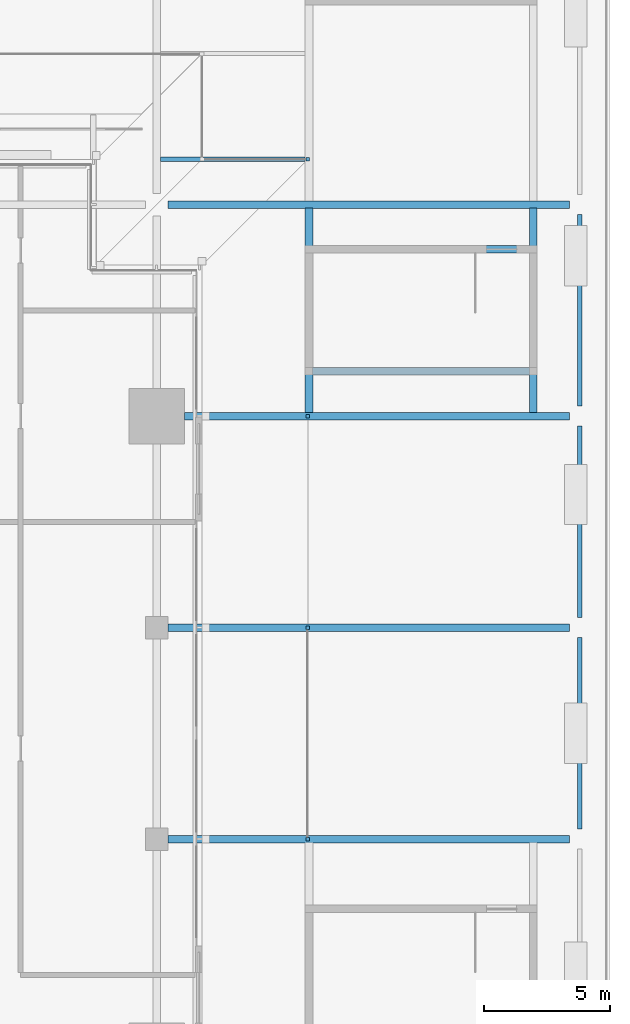
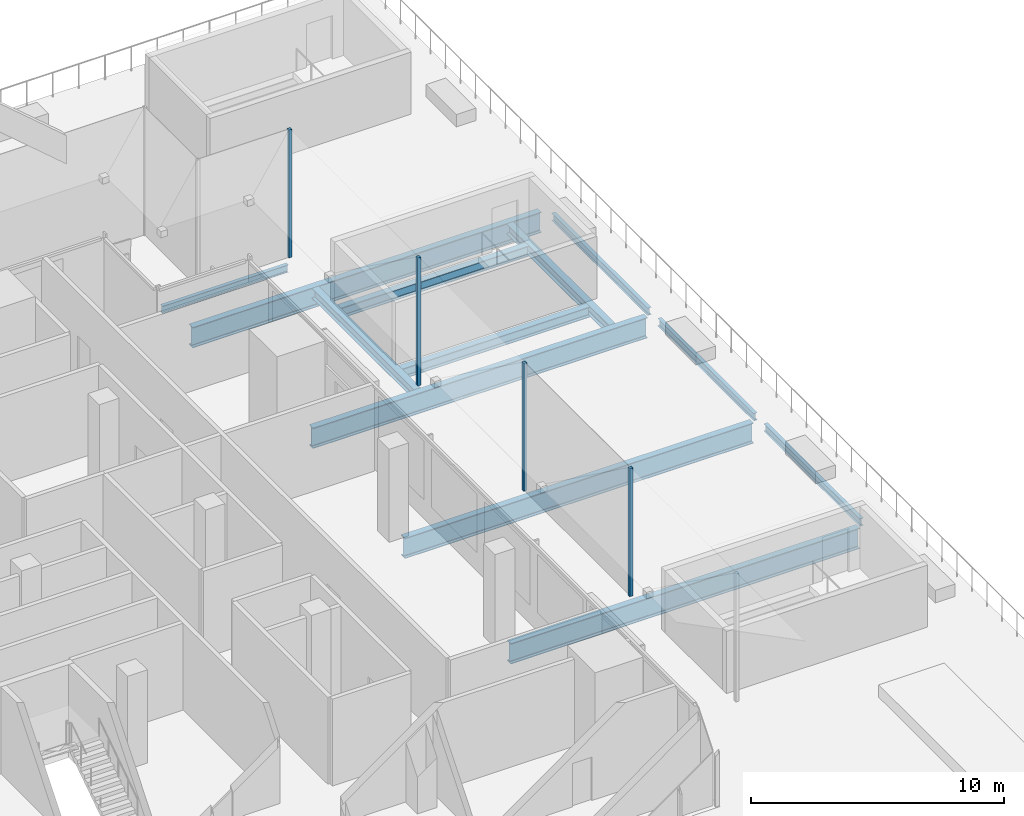
# One storey, part 13 of 60: 12 beams, 4 members.
"""IFC4 building model written with IfcOpenShell, lengths in metres."""

from ifc_helpers import new_model, si_unit, direction, frame, origin, origin_2d, place, context, subcontext, project, spatial, rectangle, i_section, extrude, material, material_profile, profile_set, type_object, element, save


model = new_model("IFC4")

# Units and contexts
model_context = context("Model", 3, precision=1e-05, world=origin(), true_north=direction((0.0, 1.0)))
body_context = subcontext(model_context, "Body", "Model", "MODEL_VIEW")
ifc_project = project(units=[si_unit("LENGTHUNIT", "METRE"), si_unit("AREAUNIT", "SQUARE_METRE"), si_unit("VOLUMEUNIT", "CUBIC_METRE"), si_unit("PLANEANGLEUNIT", "RADIAN"), si_unit("MASSUNIT", "GRAM", prefix="KILO")], contexts=[model_context])

# Site, building, storey
site_placement = place(None, origin())
site = spatial("IfcSite", under=ifc_project, at=site_placement, CompositionType="ELEMENT")
building_placement = place(site_placement, origin())
building = spatial("IfcBuilding", under=site, at=building_placement, Name="Saffron Gate Tower", CompositionType="ELEMENT")
storey_placement = place(building_placement, frame((0.0, 0.0, 19.199951171875)))
storey = spatial("IfcBuildingStorey", under=building, at=storey_placement, Name="L03", CompositionType="ELEMENT", Elevation=19.199951171875)

# Beams
ifc_material = material(Name="Structural steel S355", Category="steel")
ifc_material_profile_1 = material_profile(ifc_material, i_section(OverallWidth=0.169921875, OverallDepth=0.360107421875, WebThickness=0.008056640625, FlangeThickness=0.0126953125, FilletRadius=0.01806640625, at=origin_2d()))
ifc_profile_set_1 = profile_set([ifc_material_profile_1], Name="Structural steel S355")
beam_type_1 = type_object("IfcBeamType", Name="B1 IPE 360", PredefinedType="BEAM", material=ifc_profile_set_1)
for number, where, z_axis, x_axis, name in (
    (1, (142.199951171875, 49.0, -0.47998046875), (0.0, 1.0, 0.0), (-1.0, 0.0, 0.0), "B1 PODIUM EDGE BEAM"),
    (2, (142.199951171875, 57.39990234375, -0.47998046875), (0.0, 1.0, 0.0), (-1.0, 0.0, 0.0), "B1 PODIUM EDGE BEAM"),
):
    element("IfcBeam", number, at=place(storey_placement, frame(where, z_axis=z_axis, x_axis=x_axis)), inside=storey, type_object=beam_type_1, Name=name, PredefinedType="BEAM", context=body_context, shape_type="SweptSolid", body=[
        extrude(i_section(OverallWidth=0.169921875, OverallDepth=0.360107421875, WebThickness=0.008056640625, FlangeThickness=0.0126953125, FilletRadius=0.01806640625, at=origin_2d()), origin(), (0.0, 0.0, 1.0), 7.60009765625),
    ])
beam_1_placement = place(storey_placement, frame((142.199951171875, 65.800048828125, -0.47998046875), z_axis=(0.0, 1.0, 0.0), x_axis=(-1.0, 0.0, 0.0)))
element("IfcBeam", 3, at=beam_1_placement, inside=storey, type_object=beam_type_1, Name="B1 PODIUM EDGE BEAM", PredefinedType="BEAM", context=body_context, shape_type="SweptSolid", body=[
    extrude(i_section(OverallWidth=0.169921875, OverallDepth=0.360107421875, WebThickness=0.008056640625, FlangeThickness=0.0126953125, FilletRadius=0.01806640625, at=origin_2d()), origin(), (0.0, 0.0, 1.0), 7.599853515625),
])
ifc_material_profile_2 = material_profile(ifc_material, i_section(OverallWidth=0.300048828125, OverallDepth=0.989990234375, WebThickness=0.0166015625, FlangeThickness=0.031005859375, FilletRadius=0.030029296875, at=origin_2d()))
ifc_profile_set_2 = profile_set([ifc_material_profile_2], Name="Structural steel S355")
beam_type_2 = type_object("IfcBeamType", Name="B21 HEA 1000", PredefinedType="BEAM", material=ifc_profile_set_2)
for number, where, z_axis, x_axis, name in (
    (4, (141.800048828125, 48.60009765625, -0.794921875), (-1.0, 0.0, 0.0), (0.0, -1.0, 0.0), "B21 PODIUM RING GIRDER"),
    (5, (141.800048828125, 57.0, -0.794921875), (-1.0, 0.0, 0.0), (0.0, -1.0, 0.0), "B21 PODIUM RING GIRDER"),
):
    element("IfcBeam", number, at=place(storey_placement, frame(where, z_axis=z_axis, x_axis=x_axis)), inside=storey, type_object=beam_type_2, Name=name, PredefinedType="BEAM", context=body_context, shape_type="SweptSolid", body=[
        extrude(i_section(OverallWidth=0.300048828125, OverallDepth=0.989990234375, WebThickness=0.0166015625, FlangeThickness=0.031005859375, FilletRadius=0.030029296875, at=origin_2d()), origin(), (0.0, 0.0, 1.0), 15.949951171875),
    ])
beam_2_placement = place(storey_placement, frame((141.800048828125, 65.39990234375, -0.794921875), z_axis=(-1.0, 0.0, 0.0), x_axis=(0.0, -1.0, 0.0)))
element("IfcBeam", 6, at=beam_2_placement, inside=storey, type_object=beam_type_2, Name="B21 PODIUM RING GIRDER", PredefinedType="BEAM", context=body_context, shape_type="SweptSolid", body=[
    extrude(i_section(OverallWidth=0.300048828125, OverallDepth=0.989990234375, WebThickness=0.0166015625, FlangeThickness=0.031005859375, FilletRadius=0.030029296875, at=origin_2d()), origin(), (0.0, 0.0, 1.0), 15.300048828125),
])
beam_3_placement = place(storey_placement, frame((141.800048828125, 73.800048828125, -0.794921875), z_axis=(-1.0, 0.0, 0.0), x_axis=(0.0, -1.0, 0.0)))
element("IfcBeam", 7, at=beam_3_placement, inside=storey, type_object=beam_type_2, Name="B21 PODIUM RING GIRDER", PredefinedType="BEAM", context=body_context, shape_type="SweptSolid", body=[
    extrude(i_section(OverallWidth=0.300048828125, OverallDepth=0.989990234375, WebThickness=0.0166015625, FlangeThickness=0.031005859375, FilletRadius=0.030029296875, at=origin_2d()), origin(), (0.0, 0.0, 1.0), 15.949951171875),
])
ifc_material_profile_3 = material_profile(ifc_material, i_section(OverallWidth=0.300048828125, OverallDepth=0.5, WebThickness=0.014404296875, FlangeThickness=0.028076171875, FilletRadius=0.027099609375, at=origin_2d()))
ifc_profile_set_3 = profile_set([ifc_material_profile_3], Name="Structural steel S355")
beam_type_3 = type_object("IfcBeamType", Name="B9 HEB 500", PredefinedType="BEAM", material=ifc_profile_set_3)
for number, where, z_axis, x_axis, name in (
    (8, (131.449951171875, 65.5400390625, -0.550048828125), (0.0, 1.0, 0.0), (-1.0, 0.0, 0.0), "B9 STAIR ENCLOSURE HEADER BEAM"),
    (9, (140.35009765625, 65.5400390625, -0.550048828125), (0.0, 1.0, 0.0), (-1.0, 0.0, 0.0), "B9 STAIR ENCLOSURE HEADER BEAM"),
):
    element("IfcBeam", number, at=place(storey_placement, frame(where, z_axis=z_axis, x_axis=x_axis)), inside=storey, type_object=beam_type_3, Name=name, PredefinedType="BEAM", context=body_context, shape_type="SweptSolid", body=[
        extrude(i_section(OverallWidth=0.300048828125, OverallDepth=0.5, WebThickness=0.014404296875, FlangeThickness=0.028076171875, FilletRadius=0.027099609375, at=origin_2d()), origin(), (0.0, 0.0, 1.0), 8.119873046875),
    ])
for number, where, z_axis, x_axis, name in (
    (10, (131.590087890625, 67.175048828125, -0.550048828125), (1.0, 0.0, 0.0), (0.0, 1.0, 0.0), "B9 STAIR ENCLOSURE TRIMMER BEAM"),
    (11, (131.590087890625, 72.02490234375, -0.550048828125), (1.0, 0.0, 0.0), (0.0, 1.0, 0.0), "B9 STAIR ENCLOSURE TRIMMER BEAM"),
):
    element("IfcBeam", number, at=place(storey_placement, frame(where, z_axis=z_axis, x_axis=x_axis)), inside=storey, type_object=beam_type_3, Name=name, PredefinedType="BEAM", context=body_context, shape_type="SweptSolid", body=[
        extrude(i_section(OverallWidth=0.300048828125, OverallDepth=0.5, WebThickness=0.014404296875, FlangeThickness=0.028076171875, FilletRadius=0.027099609375, at=origin_2d()), origin(), (0.0, 0.0, 1.0), 8.619873046875),
    ])

# Members
ifc_material_profile_4 = material_profile(ifc_material, rectangle(XDim=0.139892578125, YDim=0.139892578125, at=origin_2d()))
ifc_profile_set_4 = profile_set([ifc_material_profile_4], Name="Structural steel S355")
member_type = type_object("IfcMemberType", Name="HL1 hall post", PredefinedType="POST", material=ifc_profile_set_4)
for number, where, z_axis, x_axis, name in (
    (12, (131.39990234375, 48.60009765625, 0.0), (0.0, 0.0, 1.0), (1.0, 0.0, 0.0), "HALL POST"),
    (13, (131.39990234375, 57.0, 0.0), (0.0, 0.0, 1.0), (1.0, 0.0, 0.0), "HALL POST"),
    (14, (131.39990234375, 65.39990234375, 0.0), (0.0, 0.0, 1.0), (1.0, 0.0, 0.0), "HALL POST"),
    (15, (131.39990234375, 75.60009765625, 0.0), (0.0, 0.0, 1.0), (1.0, 0.0, 0.0), "HALL POST"),
):
    element("IfcMember", number, at=place(storey_placement, frame(where, z_axis=z_axis, x_axis=x_axis)), inside=storey, type_object=member_type, Name=name, PredefinedType="POST", context=body_context, shape_type="SweptSolid", body=[
        extrude(rectangle(XDim=0.139892578125, YDim=0.139892578125, at=origin_2d()), origin(), (0.0, 0.0, 1.0), 6.18994140625),
    ])

# Beam
ifc_material_profile_5 = material_profile(ifc_material, i_section(OverallWidth=0.169921875, OverallDepth=0.360107421875, WebThickness=0.008056640625, FlangeThickness=0.0126953125, FilletRadius=0.01806640625, at=origin_2d()))
ifc_profile_set_5 = profile_set([ifc_material_profile_5], Name="Structural steel S355")
beam_type_4 = type_object("IfcBeamType", Name="HL5 hall kerb beam", PredefinedType="BEAM", material=ifc_profile_set_5)
beam_4_placement = place(storey_placement, frame((125.550048828125, 75.60009765625, -0.47998046875), z_axis=(1.0, 0.0, 0.0), x_axis=(0.0, 1.0, 0.0)))
element("IfcBeam", 16, at=beam_4_placement, inside=storey, type_object=beam_type_4, Name="HALL KERB BEAM", PredefinedType="BEAM", context=body_context, shape_type="SweptSolid", body=[
    extrude(i_section(OverallWidth=0.169921875, OverallDepth=0.360107421875, WebThickness=0.008056640625, FlangeThickness=0.0126953125, FilletRadius=0.01806640625, at=origin_2d()), origin(), (0.0, 0.0, 1.0), 5.75),
])

save(model, "model.ifc")
